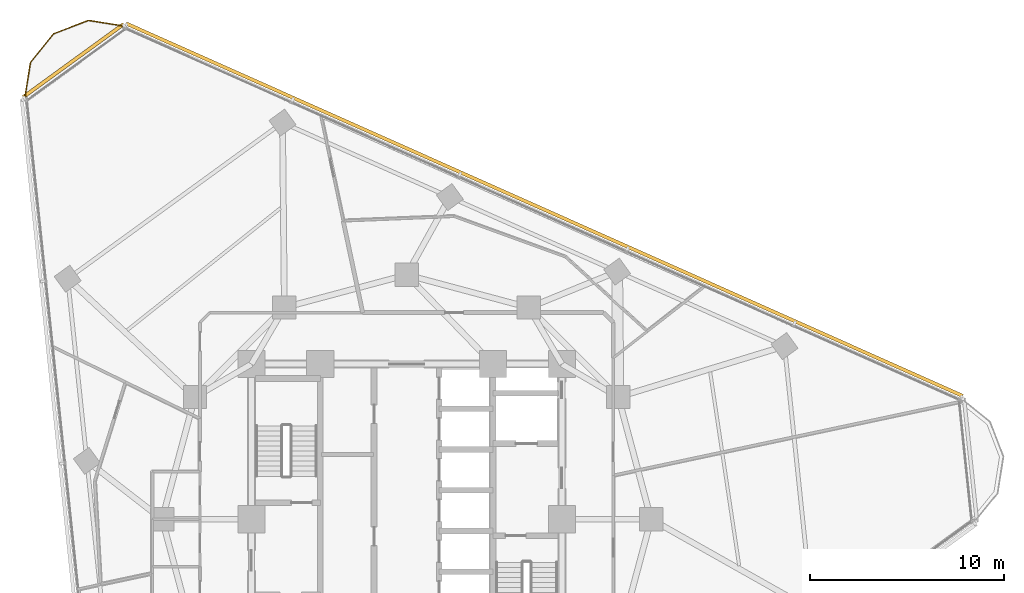
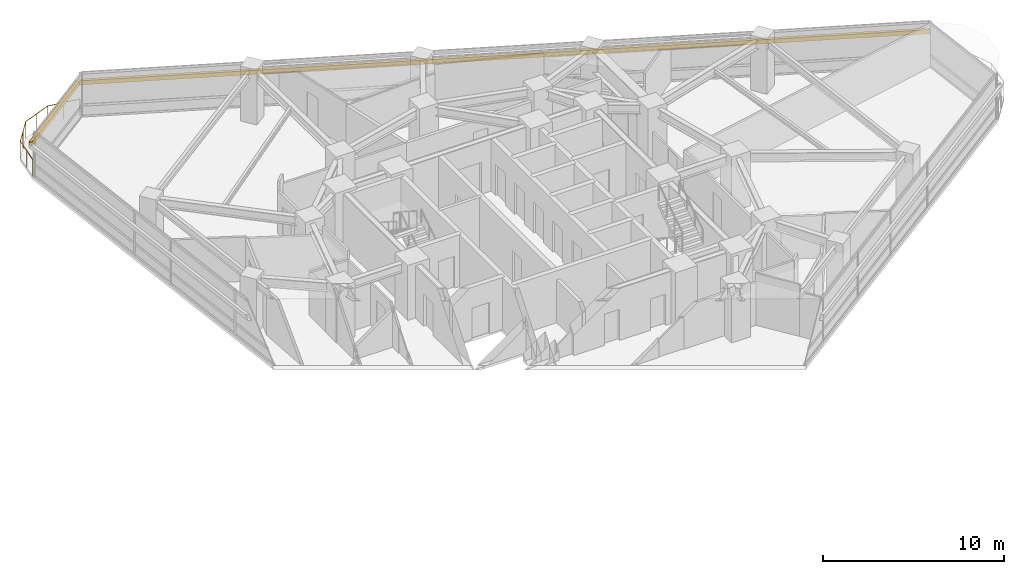
# One storey, part 14 of 14: 2 shading devices, 1 railing.
"""IFC4 building model written with IfcOpenShell, lengths in metres."""

from ifc_helpers import new_model, si_unit, direction, frame, origin, origin_2d, place, context, subcontext, project, spatial, rectangle, circle, extrude, material, layer, layer_set, type_object, element, save


model = new_model("IFC4")

# Units and contexts
model_context = context("Model", 3, precision=1e-05, world=origin(), true_north=direction((0.0, 1.0)))
body_context = subcontext(model_context, "Body", "Model", "MODEL_VIEW")
ifc_project = project(units=[si_unit("LENGTHUNIT", "METRE"), si_unit("AREAUNIT", "SQUARE_METRE"), si_unit("VOLUMEUNIT", "CUBIC_METRE"), si_unit("PLANEANGLEUNIT", "RADIAN"), si_unit("MASSUNIT", "GRAM", prefix="KILO")], contexts=[model_context])

# Site, building, storey
site_placement = place(None, origin())
site = spatial("IfcSite", under=ifc_project, at=site_placement, CompositionType="ELEMENT")
building_placement = place(site_placement, origin())
building = spatial("IfcBuilding", under=site, at=building_placement, Name="Terralouvre Media Tower", CompositionType="ELEMENT")
storey_placement = place(building_placement, frame((0.0, 0.0, 173.10009765625)))
storey = spatial("IfcBuildingStorey", under=building, at=storey_placement, Name="L44", CompositionType="ELEMENT", Elevation=173.10009765625)

# Railing
ifc_material_1 = material(Name="Stainless steel 316 handrail and balustrade", Category="steel")
ifc_layer = layer(ifc_material_1, 0.06005859375, Name="Roof Edge Safety Guardrail GR-ROOF1")
ifc_layer_set = layer_set([ifc_layer], Name="Stainless steel 316 handrail and balustrade")
railing_type = type_object("IfcRailingType", Name="Roof Edge Safety Guardrail GR-ROOF1", PredefinedType="GUARDRAIL", material=ifc_layer_set)
railing_placement = place(storey_placement, frame((-14.50537109375, 25.41357421875, 0.0)))
element("IfcRailing", 1, at=railing_placement, inside=storey, type_object=railing_type, Name="L44 Wind-Corner Perimeter Safety Guardrail C2", PredefinedType="GUARDRAIL", context=body_context, shape_type="SweptSolid", body=[
    extrude(circle(Radius=0.02099609375, at=origin_2d()), frame((0.0, 0.0, 1.12890625), z_axis=(-0.987645867018, 0.156702397439, 0.0), x_axis=(-0.156702397439, -0.987645867018, 0.0)), (0.0, 0.0, 1.0), 1.914794921875),
    extrude(circle(Radius=0.02099609375, at=origin_2d()), frame((-1.89111328125, 0.300048828125, 1.12890625), z_axis=(-0.933575508152, -0.358380762009, 0.0), x_axis=(0.358380762009, -0.933575508152, 0.0)), (0.0, 0.0, 1.0), 1.914306640625),
    extrude(circle(Radius=0.02099609375, at=origin_2d()), frame((-3.67822265625, -0.385986328125, 1.12890625), z_axis=(-0.629256927844, -0.777197348658, 0.0), x_axis=(0.777197348658, -0.629256927844, 0.0)), (0.0, 0.0, 1.0), 1.914306640625),
    extrude(circle(Radius=0.02099609375, at=origin_2d()), frame((-4.8828125, -1.873779296875, 1.12890625), z_axis=(-0.156204845685, -0.987724681369, 0.0), x_axis=(0.987724681369, -0.156204845685, 0.0)), (0.0, 0.0, 1.0), 1.91455078125),
    extrude(circle(Radius=0.01904296875, at=origin_2d()), origin(), (0.0, 0.0, 1.0), 1.10791015625),
    extrude(circle(Radius=0.01904296875, at=origin_2d()), frame((-0.945556640625, 0.14990234375, 0.0)), (0.0, 0.0, 1.0), 1.10791015625),
    extrude(circle(Radius=0.01904296875, at=origin_2d()), frame((-1.89111328125, 0.300048828125, 0.0)), (0.0, 0.0, 1.0), 1.10791015625),
    extrude(circle(Radius=0.01904296875, at=origin_2d()), frame((-2.78466796875, -0.04296875, 0.0)), (0.0, 0.0, 1.0), 1.10791015625),
    extrude(circle(Radius=0.01904296875, at=origin_2d()), frame((-3.67822265625, -0.385986328125, 0.0)), (0.0, 0.0, 1.0), 1.10791015625),
    extrude(circle(Radius=0.01904296875, at=origin_2d()), frame((-4.280517578125, -1.1298828125, 0.0)), (0.0, 0.0, 1.0), 1.10791015625),
    extrude(circle(Radius=0.01904296875, at=origin_2d()), frame((-4.8828125, -1.873779296875, 0.0)), (0.0, 0.0, 1.0), 1.10791015625),
    extrude(circle(Radius=0.01904296875, at=origin_2d()), frame((-5.0322265625, -2.8193359375, 0.0)), (0.0, 0.0, 1.0), 1.10791015625),
    extrude(circle(Radius=0.01904296875, at=origin_2d()), frame((-5.181884765625, -3.764892578125, 0.0)), (0.0, 0.0, 1.0), 1.10791015625),
])

# Shading devices
ifc_material_2 = material(Name="Extruded terracotta baguette sunshade louvres", Category="masonry")
shading_device_type = type_object("IfcShadingDeviceType", Name="Terracotta Baguette Sunshade Louvre Screen TB-LV1", PredefinedType="USERDEFINED", material=ifc_material_2)
shading_device_1_placement = place(storey_placement, frame((7.103759765625, 15.95556640625, 2.02392578125), z_axis=(0.0, 0.0, 1.0), x_axis=(-0.913545469547, 0.406736616337, 0.0)))
element("IfcShadingDevice", 2, at=shading_device_1_placement, inside=storey, type_object=shading_device_type, Name="CW-L44-F1 Terracotta Baguette Sunshade Louvre", ObjectType="BAGUETTE", PredefinedType="USERDEFINED", context=body_context, shape_type="SweptSolid", body=[
    extrude(rectangle(XDim=47.199951171875, YDim=0.179931640625, at=origin_2d()), origin(), (0.0, 0.0, 1.0), 0.280029296875),
])
shading_device_2_placement = place(storey_placement, frame((-17.175537109375, 23.64013671875, 2.02392578125), z_axis=(0.0, 0.0, 1.0), x_axis=(-0.809017438344, -0.587784641221, 0.0)))
element("IfcShadingDevice", 3, at=shading_device_2_placement, inside=storey, type_object=shading_device_type, Name="CW-L44-C2 Terracotta Baguette Sunshade Louvre", ObjectType="BAGUETTE", PredefinedType="USERDEFINED", context=body_context, shape_type="SweptSolid", body=[
    extrude(rectangle(XDim=6.40869140625, YDim=0.179931640625, at=origin_2d()), origin(), (0.0, 0.0, 1.0), 0.280029296875),
])

save(model, "model.ifc")
